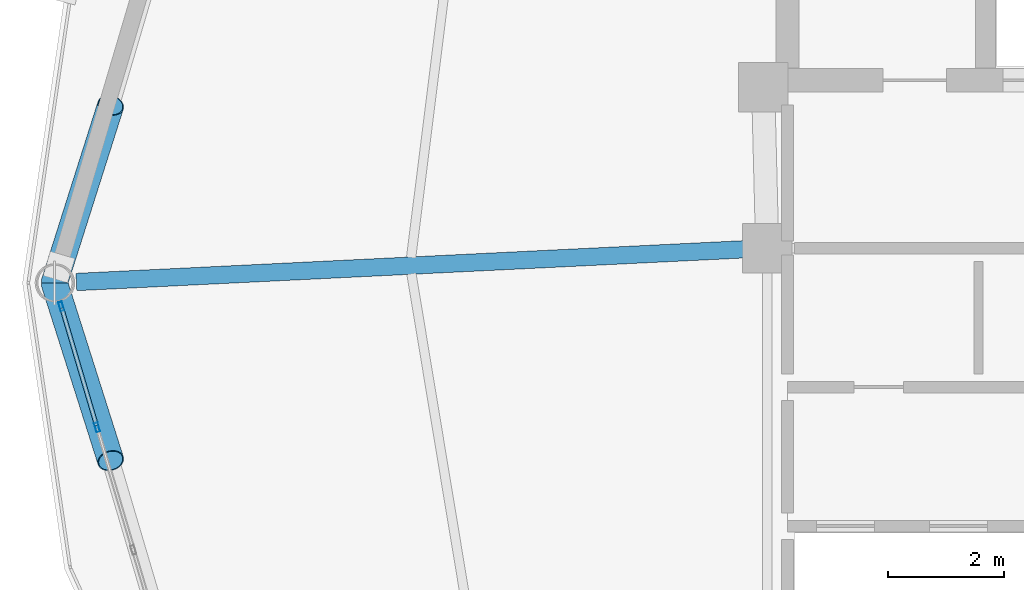
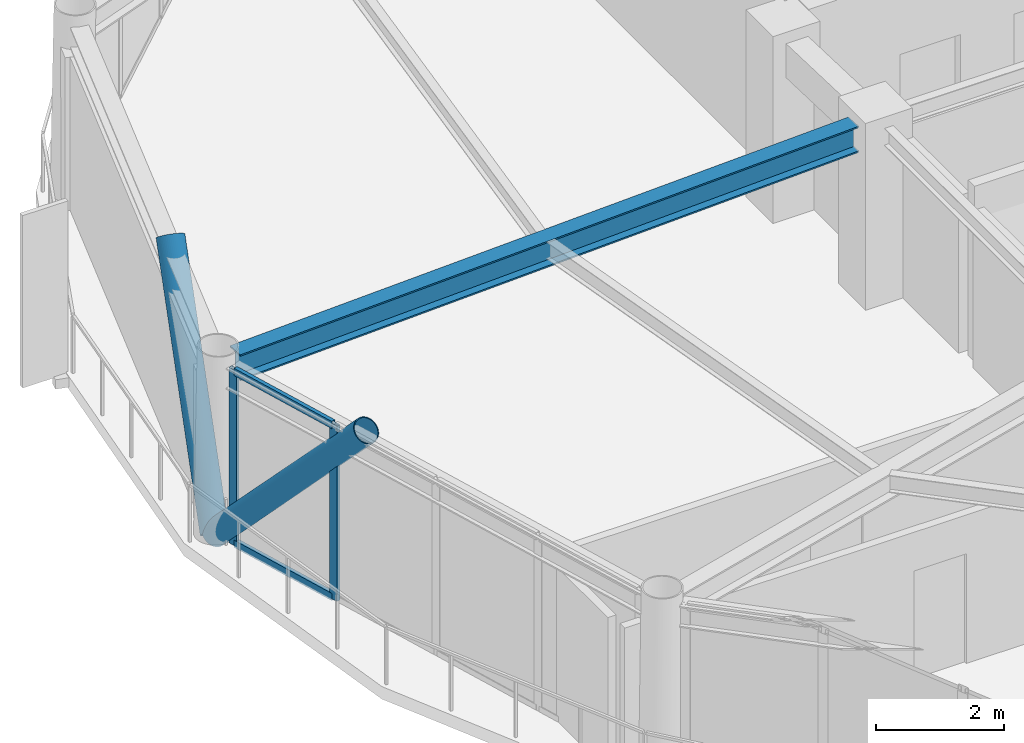
# One storey, part 11 of 28: 6 members, 1 beam, 1 element without a shape of its own.
"""IFC4 building model written with IfcOpenShell, lengths in metres."""

from ifc_helpers import new_model, si_unit, direction, frame, origin, origin_2d, place, context, subcontext, project, spatial, hollow_rectangle, hollow_circle, i_section, extrude, material, layer, layer_set, material_profile, profile_set, type_object, element, aggregate, save


model = new_model("IFC4")

# Units and contexts
model_context = context("Model", 3, precision=1e-05, world=origin(), true_north=direction((0.0, 1.0)))
body_context = subcontext(model_context, "Body", "Model", "MODEL_VIEW")
ifc_project = project(units=[si_unit("LENGTHUNIT", "METRE"), si_unit("AREAUNIT", "SQUARE_METRE"), si_unit("VOLUMEUNIT", "CUBIC_METRE"), si_unit("PLANEANGLEUNIT", "RADIAN"), si_unit("MASSUNIT", "GRAM", prefix="KILO")], contexts=[model_context])

# Site, building, storey
site_placement = place(None, origin())
site = spatial("IfcSite", under=ifc_project, at=site_placement, CompositionType="ELEMENT")
building_placement = place(site_placement, origin())
building = spatial("IfcBuilding", under=site, at=building_placement, Name="Varnakorn Sky Granary", CompositionType="ELEMENT")
storey_placement = place(building_placement, frame((0.0, 0.0, 193.199951171875)))
storey = spatial("IfcBuildingStorey", under=building, at=storey_placement, Name="L48", CompositionType="ELEMENT", Elevation=193.199951171875)

# Beam
ifc_material_1 = material(Name="Steel S355JR", Category="steel")
ifc_material_profile_1 = material_profile(ifc_material_1, i_section(OverallWidth=0.300048828125, OverallDepth=0.5, WebThickness=0.014404296875, FlangeThickness=0.028076171875, at=origin_2d()), Name="HE 500 B")
ifc_profile_set_1 = profile_set([ifc_material_profile_1], Name="Steel S355JR")
beam_type = type_object("IfcBeamType", Name="BM-RAD-Z4", PredefinedType="BEAM", material=ifc_profile_set_1)
beam_placement = place(storey_placement, frame((-2.75439453125, 0.580078125, 3.110107421875), z_axis=(-0.998801754704, -0.048939297094, 0.0), x_axis=(0.048939297094, -0.998801754704, 0.0)))
element("IfcBeam", 1, at=beam_placement, inside=storey, type_object=beam_type, Name="Radial Floor Girder RG07 L48", PredefinedType="BEAM", context=body_context, shape_type="SweptSolid", body=[
    extrude(i_section(OverallWidth=0.300048828125, OverallDepth=0.5, WebThickness=0.014404296875, FlangeThickness=0.028076171875, at=origin_2d()), origin(), (0.0, 0.0, 1.0), 11.538818359375),
])

# Curtain wall, members
ifc_material_2 = material(Name="Anodised Bronze Aluminium Alloy 6063-T6", Category="aluminium")
ifc_layer = layer(ifc_material_2, 0.169921875, Name="Anodised Bronze Aluminium Alloy 6063-T6")
ifc_layer_set = layer_set([ifc_layer], Name="Anodised Bronze Aluminium Alloy 6063-T6")
curtain_wall_type = type_object("IfcCurtainWallType", Name="CW-LAB-1", PredefinedType="USERDEFINED", material=ifc_layer_set)
curtain_wall_placement = place(storey_placement, origin())
curtain_wall = element("IfcCurtainWall", 2, at=curtain_wall_placement, inside=storey, type_object=curtain_wall_type, Name="Unitised Curtain Wall CW5 CW-L48-B07", ObjectType="CURTAIN WALL", PredefinedType="USERDEFINED")
ifc_material_profile_2 = material_profile(ifc_material_2, hollow_rectangle(XDim=0.06494140625, YDim=0.159912109375, WallThickness=0.00341796875, at=origin_2d()), Name="ALU MULL 65x160")
ifc_profile_set_2 = profile_set([ifc_material_profile_2], Name="Anodised Bronze Aluminium Alloy 6063-T6")
member_type_1 = type_object("IfcMemberType", Name="CW-LAB-1-MULL", PredefinedType="MULLION", material=ifc_profile_set_2)
member_1_placement = place(storey_placement, frame((-13.9228515625, -2.49267578125, 0.0), z_axis=(0.0, 0.0, 1.0), x_axis=(-0.958847747694, -0.283920757858, 0.0)))
member_1 = element("IfcMember", 3, at=member_1_placement, type_object=member_type_1, Name="CW5 mullion 4", PredefinedType="MULLION", context=body_context, shape_type="SweptSolid", body=[
    extrude(hollow_rectangle(XDim=0.06494140625, YDim=0.159912109375, WallThickness=0.00341796875, at=origin_2d()), origin(), (0.0, 0.0, 1.0), 3.360107421875),
])
member_2_placement = place(storey_placement, frame((-14.541015625, -0.4052734375, 0.0), z_axis=(0.0, 0.0, 1.0), x_axis=(-0.958847747694, -0.283920757858, 0.0)))
member_2 = element("IfcMember", 4, at=member_2_placement, type_object=member_type_1, Name="CW5 mullion 5", PredefinedType="MULLION", context=body_context, shape_type="SweptSolid", body=[
    extrude(hollow_rectangle(XDim=0.06494140625, YDim=0.159912109375, WallThickness=0.00341796875, at=origin_2d()), origin(), (0.0, 0.0, 1.0), 3.360107421875),
])
ifc_material_profile_3 = material_profile(ifc_material_2, hollow_rectangle(XDim=0.070068359375, YDim=0.139892578125, WallThickness=0.00341796875, at=origin_2d()), Name="ALU TRAN 70x140")
ifc_profile_set_3 = profile_set([ifc_material_profile_3], Name="Anodised Bronze Aluminium Alloy 6063-T6")
member_type_2 = type_object("IfcMemberType", Name="CW-LAB-1-TRAN", PredefinedType="USERDEFINED", material=ifc_profile_set_3)
member_3_placement = place(storey_placement, frame((-13.93212890625, -2.461669921875, 0.03515625), z_axis=(-0.283867945021, 0.95886338432, 0.0), x_axis=(-0.95886338432, -0.283867945021, 0.0)))
member_3 = element("IfcMember", 5, at=member_3_placement, type_object=member_type_2, Name="CW5 transom 4.1", ObjectType="TRANSOM", PredefinedType="USERDEFINED", context=body_context, shape_type="SweptSolid", body=[
    extrude(hollow_rectangle(XDim=0.070068359375, YDim=0.139892578125, WallThickness=0.00341796875, at=origin_2d()), origin(), (0.0, 0.0, 1.0), 2.1123046875),
])
member_4_placement = place(storey_placement, frame((-13.93212890625, -2.461669921875, 3.324951171875), z_axis=(-0.283867945021, 0.95886338432, 0.0), x_axis=(-0.95886338432, -0.283867945021, 0.0)))
member_4 = element("IfcMember", 6, at=member_4_placement, type_object=member_type_2, Name="CW5 transom 4.2", ObjectType="TRANSOM", PredefinedType="USERDEFINED", context=body_context, shape_type="SweptSolid", body=[
    extrude(hollow_rectangle(XDim=0.070068359375, YDim=0.139892578125, WallThickness=0.00341796875, at=origin_2d()), origin(), (0.0, 0.0, 1.0), 2.1123046875),
])
aggregate(curtain_wall, [member_1, member_2, member_3, member_4])

# Members
ifc_material_3 = material(Name="Steel S460M", Category="steel")
ifc_material_profile_4 = material_profile(ifc_material_3, hollow_circle(Radius=0.228515625, WallThickness=0.01611328125, at=origin_2d()), Name="CHS 457x16")
ifc_profile_set_4 = profile_set([ifc_material_profile_4], Name="Steel S460M")
member_type_3 = type_object("IfcMemberType", Name="MB-DIAG-T3", PredefinedType="BRACE", material=ifc_profile_set_4)
for number, where, z_axis, x_axis, name in (
    (7, (-14.660888671875, 0.0, 0.0), (0.205156468687, 0.646268585196, 0.735015468643), (-0.953127738431, 0.302568197656, 0.0), "Perimeter CHS Diagrid Brace DG06 L48"),
    (8, (-14.660888671875, 0.0, 0.0), (0.205156468687, -0.646268585196, 0.735015468643), (0.953127738431, 0.302568197656, 0.0), "Perimeter CHS Diagrid Brace DG07 L48"),
):
    element("IfcMember", number, at=place(storey_placement, frame(where, z_axis=z_axis, x_axis=x_axis)), inside=storey, type_object=member_type_3, Name=name, PredefinedType="BRACE", context=body_context, shape_type="SweptSolid", body=[
        extrude(hollow_circle(Radius=0.228515625, WallThickness=0.01611328125, at=origin_2d()), origin(), (0.0, 0.0, 1.0), 4.748291015625),
    ])

save(model, "model.ifc")
